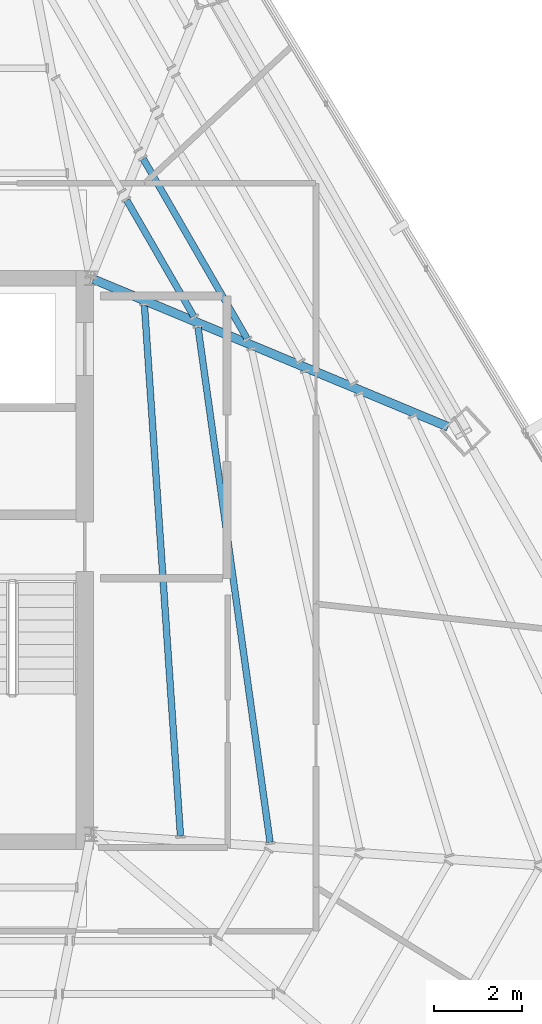
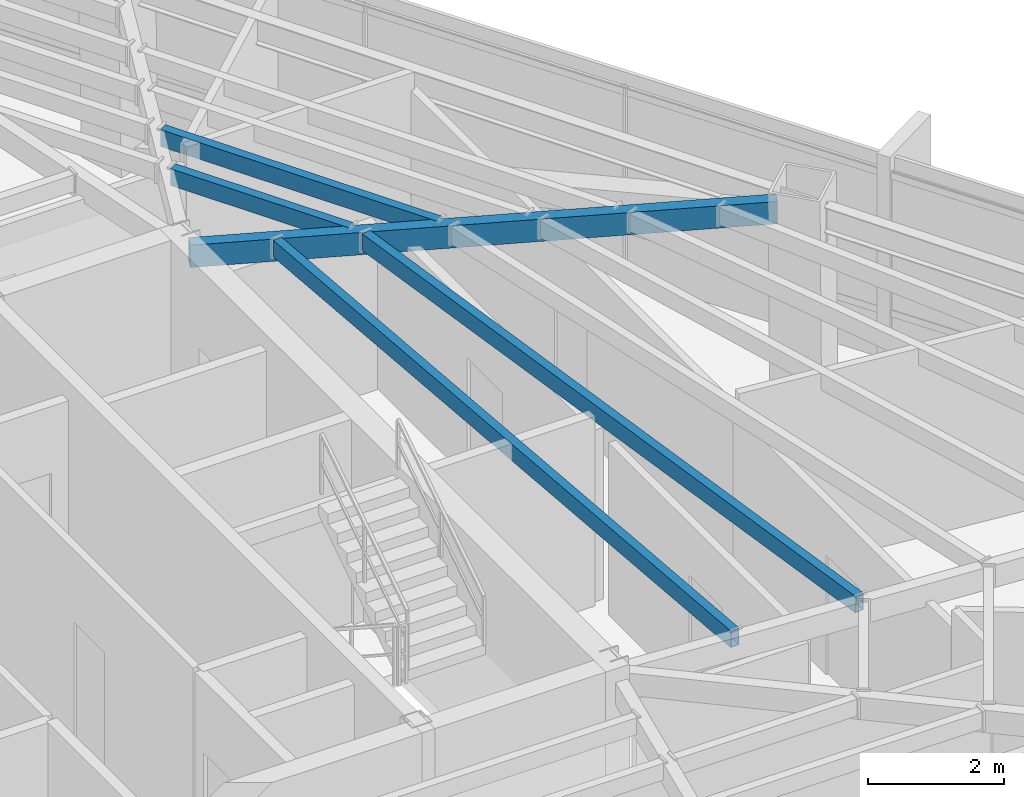
# One storey, part 27 of 49: 5 beams.
"""IFC4 building model written with IfcOpenShell, lengths in metres."""

from ifc_helpers import new_model, si_unit, direction, frame, origin, origin_2d, place, context, subcontext, project, spatial, hollow_rectangle, extrude, source, transform, mapped, material, material_profile, profile_set, type_object, type_shapes, element, save


model = new_model("IFC4")

# Units and contexts
model_context = context("Model", 3, precision=1e-05, world=origin(), true_north=direction((0.0, 1.0)))
body_context = subcontext(model_context, "Body", "Model", "MODEL_VIEW")
ifc_project = project(units=[si_unit("LENGTHUNIT", "METRE"), si_unit("AREAUNIT", "SQUARE_METRE"), si_unit("VOLUMEUNIT", "CUBIC_METRE"), si_unit("PLANEANGLEUNIT", "RADIAN"), si_unit("MASSUNIT", "GRAM", prefix="KILO")], contexts=[model_context])

# Site, building, storey
site_placement = place(None, origin())
site = spatial("IfcSite", under=ifc_project, at=site_placement, CompositionType="ELEMENT")
building_placement = place(site_placement, origin())
building = spatial("IfcBuilding", under=site, at=building_placement, Name="Caelisora Broadcast Tower", CompositionType="ELEMENT")
storey_placement = place(building_placement, frame((0.0, 0.0, 233.5)))
storey = spatial("IfcBuildingStorey", under=building, at=storey_placement, Name="L61", CompositionType="ELEMENT", Elevation=233.5)

# Beams
ifc_material = material(Name="Steel Grade 350 (AS/NZS 1163 C350L0)", Category="steel")
ifc_material_profile_1 = material_profile(ifc_material, hollow_rectangle(XDim=0.199951171875, YDim=0.39990234375, WallThickness=0.012451171875, at=origin_2d()), Name="Steel Grade 350 (AS/NZS 1163 C350L0)")
ifc_profile_set_1 = profile_set([ifc_material_profile_1], Name="Steel Grade 350 (AS/NZS 1163 C350L0)")
beam_type_1 = type_object("IfcBeamType", Name="PG07", PredefinedType="BEAM", material=ifc_profile_set_1)
shared_shape_1 = source(origin(), body_context, "Body", "SweptSolid", [
    extrude(hollow_rectangle(XDim=0.199951171875, YDim=0.39990234375, WallThickness=0.012451171875, at=origin_2d()), origin(), (0.0, 0.0, 1.0), 8.708251953125),
])
type_shapes(beam_type_1, [shared_shape_1])
beam_1_placement = place(storey_placement, frame((45.555419921875, 29.976806640625, 3.199951171875), z_axis=(0.923228639647, -0.384251062373, 0.0), x_axis=(0.384251062373, 0.923228639647, 0.0)))
element("IfcBeam", 1, at=beam_1_placement, inside=storey, type_object=beam_type_1, Name="L61 beam PG07", PredefinedType="BEAM", context=body_context, shape_type="MappedRepresentation", body=[
    mapped(shared_shape_1, transform((0.0, 0.0, 0.0), scale=1.0)),
])
ifc_material_profile_2 = material_profile(ifc_material, hollow_rectangle(XDim=0.14990234375, YDim=0.300048828125, WallThickness=0.010009765625, at=origin_2d()), Name="Steel Grade 350 (AS/NZS 1163 C350L0)")
ifc_profile_set_2 = profile_set([ifc_material_profile_2], Name="Steel Grade 350 (AS/NZS 1163 C350L0)")
beam_type_2 = type_object("IfcBeamType", Name="SB05", PredefinedType="JOIST", material=ifc_profile_set_2)
shared_shape_2 = source(origin(), body_context, "Body", "SweptSolid", [
    extrude(hollow_rectangle(XDim=0.14990234375, YDim=0.300048828125, WallThickness=0.010009765625, at=origin_2d()), origin(), (0.0, 0.0, 1.0), 3.03857421875),
])
beam_2_placement = place(storey_placement, frame((47.831298828125, 29.135986328125, 3.25), z_axis=(-0.499984420002, 0.866034398714, 0.0), x_axis=(-0.866034398714, -0.499984420002, 0.0)))
element("IfcBeam", 2, at=beam_2_placement, inside=storey, type_object=beam_type_2, Name="L61 beam SB05", PredefinedType="JOIST", context=body_context, shape_type="MappedRepresentation", body=[
    mapped(shared_shape_2, transform((0.0, 0.0, 0.0), scale=1.0)),
])
shared_shape_3 = source(origin(), body_context, "Body", "SweptSolid", [
    extrude(hollow_rectangle(XDim=0.14990234375, YDim=0.300048828125, WallThickness=0.010009765625, at=origin_2d()), origin(), (0.0, 0.0, 1.0), 4.701171875),
])
beam_3_placement = place(storey_placement, frame((49.037353515625, 28.6337890625, 3.25), z_axis=(-0.500004164094, 0.86602299963, 0.0), x_axis=(-0.86602299963, -0.500004164094, 0.0)))
element("IfcBeam", 3, at=beam_3_placement, inside=storey, type_object=beam_type_2, Name="L61 beam SB05", PredefinedType="JOIST", context=body_context, shape_type="MappedRepresentation", body=[
    mapped(shared_shape_3, transform((0.0, 0.0, 0.0), scale=1.0)),
])
shared_shape_4 = source(origin(), body_context, "Body", "SweptSolid", [
    extrude(hollow_rectangle(XDim=0.14990234375, YDim=0.300048828125, WallThickness=0.010009765625, at=origin_2d()), origin(), (0.0, 0.0, 1.0), 12.061279296875),
])
beam_4_placement = place(storey_placement, frame((47.530517578125, 17.35595703125, 3.25), z_axis=(-0.067749594992, 0.997702356607, 0.0), x_axis=(-0.997702356607, -0.067749594992, 0.0)))
element("IfcBeam", 4, at=beam_4_placement, inside=storey, type_object=beam_type_2, Name="L61 beam SB05", PredefinedType="JOIST", context=body_context, shape_type="MappedRepresentation", body=[
    mapped(shared_shape_4, transform((0.0, 0.0, 0.0), scale=1.0)),
])
shared_shape_5 = source(origin(), body_context, "Body", "SweptSolid", [
    extrude(hollow_rectangle(XDim=0.14990234375, YDim=0.300048828125, WallThickness=0.010009765625, at=origin_2d()), origin(), (0.0, 0.0, 1.0), 11.78271484375),
])
type_shapes(beam_type_2, [shared_shape_2, shared_shape_3, shared_shape_4, shared_shape_5])
beam_5_placement = place(storey_placement, frame((49.560791015625, 17.215087890625, 3.25), z_axis=(-0.138598258646, 0.990348687433, 0.0), x_axis=(-0.990348687433, -0.138598258646, 0.0)))
element("IfcBeam", 5, at=beam_5_placement, inside=storey, type_object=beam_type_2, Name="L61 beam SB05", PredefinedType="JOIST", context=body_context, shape_type="MappedRepresentation", body=[
    mapped(shared_shape_5, transform((0.0, 0.0, 0.0), scale=1.0)),
])

save(model, "model.ifc")
